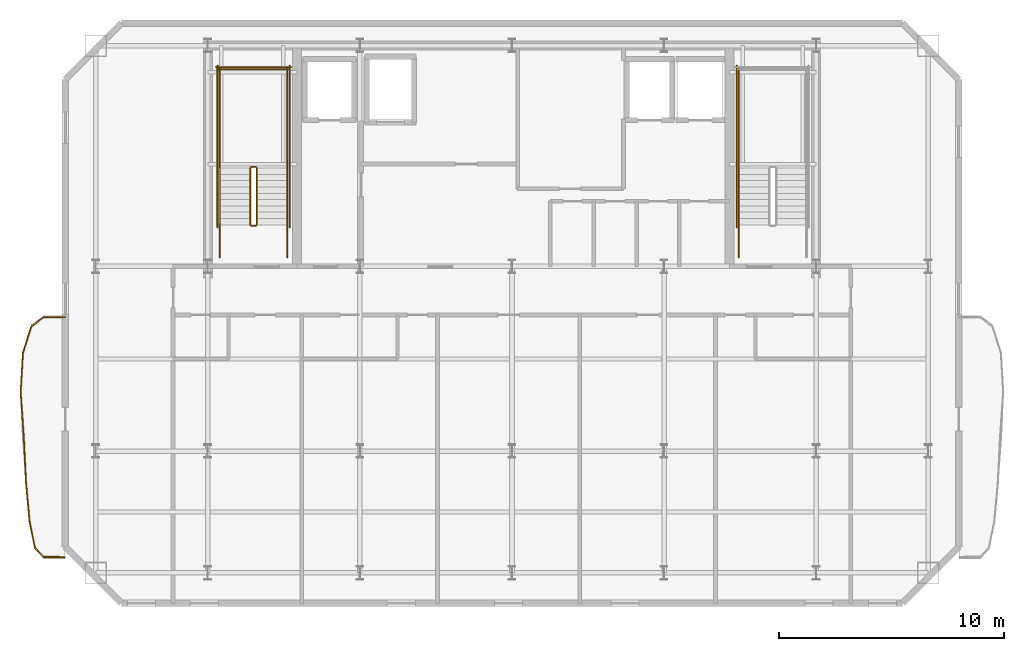
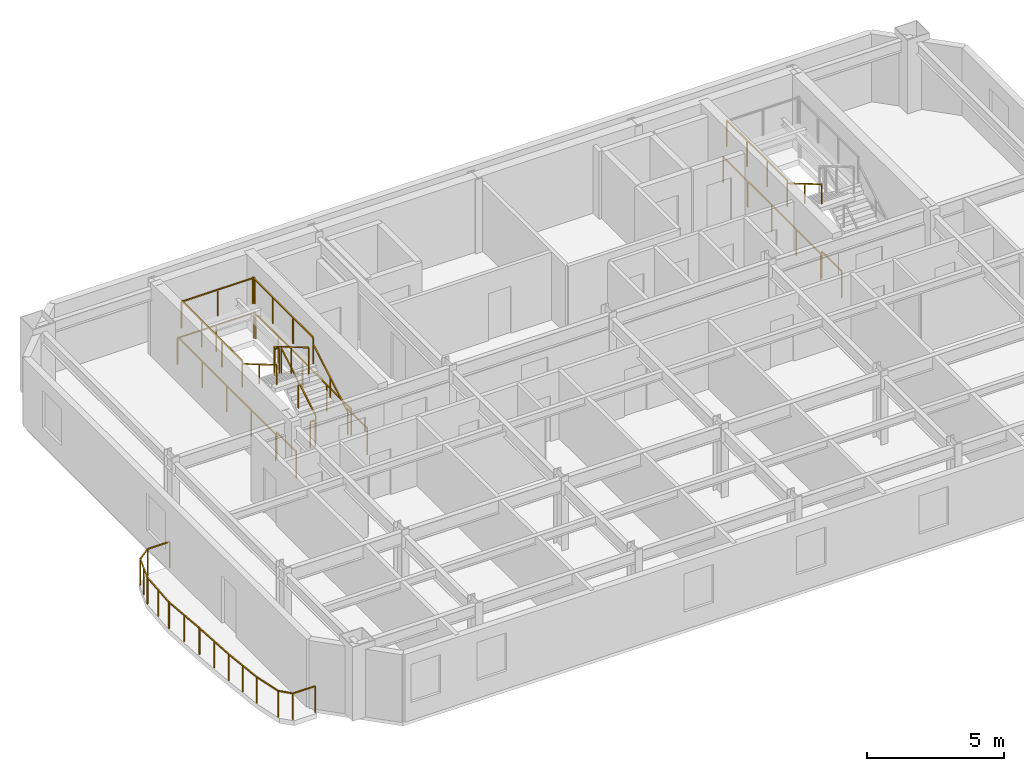
# One storey, part 5 of 6: 28 railings.
"""IFC4 building model written with IfcOpenShell, lengths in metres."""

from ifc_helpers import new_model, si_unit, direction, frame, origin, origin_2d, place, context, subcontext, project, spatial, rectangle, extrude, material, type_object, element, save


model = new_model("IFC4")

# Units and contexts
model_context = context("Model", 3, precision=1e-05, world=origin(), true_north=direction((0.0, 1.0)))
body_context = subcontext(model_context, "Body", "Model", "MODEL_VIEW")
ifc_project = project(units=[si_unit("LENGTHUNIT", "METRE"), si_unit("AREAUNIT", "SQUARE_METRE"), si_unit("VOLUMEUNIT", "CUBIC_METRE"), si_unit("PLANEANGLEUNIT", "RADIAN"), si_unit("MASSUNIT", "GRAM", prefix="KILO")], contexts=[model_context])

# Site, building, storey
site_placement = place(None, origin())
site = spatial("IfcSite", under=ifc_project, at=site_placement, CompositionType="ELEMENT")
building_placement = place(site_placement, origin())
building = spatial("IfcBuilding", under=site, at=building_placement, Name="Haevon Station Towers", CompositionType="ELEMENT")
storey_placement = place(building_placement, frame((0.0, 0.0, 242.699951171875)))
storey = spatial("IfcBuildingStorey", under=building, at=storey_placement, Name="L67", CompositionType="ELEMENT", Elevation=242.699951171875)

# Railings
ifc_material = material(Name="Steel S355", Category="steel")
railing_type_1 = type_object("IfcRailingType", Name="GRD-EXT1200", PredefinedType="GUARDRAIL", material=ifc_material)
railing_1_placement = place(storey_placement, frame((17.651611328125, 35.947021484375, 0.0)))
element("IfcRailing", 1, at=railing_1_placement, inside=storey, type_object=railing_type_1, Name="L67 Perimeter Guardrail 1", PredefinedType="GUARDRAIL", context=body_context, shape_type="SweptSolid", body=[
    extrude(rectangle(XDim=0.048095703125, YDim=0.048095703125, at=origin_2d()), frame((0.0, 0.0, 1.17578125), z_axis=(-0.999997857851, -0.002069853263, 0.0), x_axis=(0.002069853263, -0.999997857851, 0.0)), (0.0, 0.0, 1.0), 0.943603515625),
    extrude(rectangle(XDim=0.0419921875, YDim=0.0419921875, at=origin_2d()), origin(), (0.0, 0.0, 1.0), 1.15185546875),
    extrude(rectangle(XDim=0.0419921875, YDim=0.0419921875, at=origin_2d()), frame((-0.943603515625, -0.001953125, 0.0)), (0.0, 0.0, 1.0), 1.15185546875),
])
railing_2_placement = place(storey_placement, frame((16.7080078125, 35.945068359375, 0.0)))
element("IfcRailing", 2, at=railing_2_placement, inside=storey, type_object=railing_type_1, Name="L67 Perimeter Guardrail 2", PredefinedType="GUARDRAIL", context=body_context, shape_type="SweptSolid", body=[
    extrude(rectangle(XDim=0.048095703125, YDim=0.048095703125, at=origin_2d()), frame((0.0, 0.0, 1.17578125), z_axis=(-0.798409676693, -0.602114597201, 0.0), x_axis=(0.602114597201, -0.798409676693, 0.0)), (0.0, 0.0, 1.0), 0.682861328125),
    extrude(rectangle(XDim=0.0419921875, YDim=0.0419921875, at=origin_2d()), origin(), (0.0, 0.0, 1.0), 1.15185546875),
    extrude(rectangle(XDim=0.0419921875, YDim=0.0419921875, at=origin_2d()), frame((-0.545166015625, -0.4111328125, 0.0)), (0.0, 0.0, 1.0), 1.15185546875),
])
railing_3_placement = place(storey_placement, frame((16.162841796875, 35.533935546875, 0.0)))
element("IfcRailing", 3, at=railing_3_placement, inside=storey, type_object=railing_type_1, Name="L67 Perimeter Guardrail 3", PredefinedType="GUARDRAIL", context=body_context, shape_type="SweptSolid", body=[
    extrude(rectangle(XDim=0.048095703125, YDim=0.048095703125, at=origin_2d()), frame((0.0, 0.0, 1.17578125), z_axis=(-0.303187234273, -0.952931005359, 0.0), x_axis=(0.952931005359, -0.303187234273, 0.0)), (0.0, 0.0, 1.0), 1.227294921875),
    extrude(rectangle(XDim=0.0419921875, YDim=0.0419921875, at=origin_2d()), origin(), (0.0, 0.0, 1.0), 1.15185546875),
    extrude(rectangle(XDim=0.0419921875, YDim=0.0419921875, at=origin_2d()), frame((-0.18603515625, -0.584716796875, 0.0)), (0.0, 0.0, 1.0), 1.15185546875),
    extrude(rectangle(XDim=0.0419921875, YDim=0.0419921875, at=origin_2d()), frame((-0.3720703125, -1.16943359375, 0.0)), (0.0, 0.0, 1.0), 1.15185546875),
])
railing_4_placement = place(storey_placement, frame((15.790771484375, 34.364501953125, 0.0)))
element("IfcRailing", 4, at=railing_4_placement, inside=storey, type_object=railing_type_1, Name="L67 Perimeter Guardrail 4", PredefinedType="GUARDRAIL", context=body_context, shape_type="SweptSolid", body=[
    extrude(rectangle(XDim=0.048095703125, YDim=0.048095703125, at=origin_2d()), frame((0.0, 0.0, 1.17578125), z_axis=(-0.057716779897, -0.99833299721, 0.0), x_axis=(0.99833299721, -0.057716779897, 0.0)), (0.0, 0.0, 1.0), 1.751220703125),
    extrude(rectangle(XDim=0.0419921875, YDim=0.0419921875, at=origin_2d()), origin(), (0.0, 0.0, 1.0), 1.15185546875),
    extrude(rectangle(XDim=0.0419921875, YDim=0.0419921875, at=origin_2d()), frame((-0.050537109375, -0.8740234375, 0.0)), (0.0, 0.0, 1.0), 1.15185546875),
    extrude(rectangle(XDim=0.0419921875, YDim=0.0419921875, at=origin_2d()), frame((-0.10107421875, -1.748291015625, 0.0)), (0.0, 0.0, 1.0), 1.15185546875),
])
railing_5_placement = place(storey_placement, frame((15.689697265625, 32.6162109375, 0.0)))
element("IfcRailing", 5, at=railing_5_placement, inside=storey, type_object=railing_type_1, Name="L67 Perimeter Guardrail 5", PredefinedType="GUARDRAIL", context=body_context, shape_type="SweptSolid", body=[
    extrude(rectangle(XDim=0.048095703125, YDim=0.048095703125, at=origin_2d()), frame((0.0, 0.0, 1.17578125), z_axis=(0.069960576388, -0.99754975703, 0.0), x_axis=(0.99754975703, 0.069960576388, 0.0)), (0.0, 0.0, 1.0), 1.99609375),
    extrude(rectangle(XDim=0.0419921875, YDim=0.0419921875, at=origin_2d()), origin(), (0.0, 0.0, 1.0), 1.15185546875),
    extrude(rectangle(XDim=0.0419921875, YDim=0.0419921875, at=origin_2d()), frame((0.06982421875, -0.99560546875, 0.0)), (0.0, 0.0, 1.0), 1.15185546875),
    extrude(rectangle(XDim=0.0419921875, YDim=0.0419921875, at=origin_2d()), frame((0.1396484375, -1.9912109375, 0.0)), (0.0, 0.0, 1.0), 1.15185546875),
])
railing_6_placement = place(storey_placement, frame((15.829345703125, 30.625, 0.0)))
element("IfcRailing", 6, at=railing_6_placement, inside=storey, type_object=railing_type_1, Name="L67 Perimeter Guardrail 6", PredefinedType="GUARDRAIL", context=body_context, shape_type="SweptSolid", body=[
    extrude(rectangle(XDim=0.048095703125, YDim=0.048095703125, at=origin_2d()), frame((0.0, 0.0, 1.17578125), z_axis=(0.047454457012, -0.998873402644, 0.0), x_axis=(0.998873402644, 0.047454457012, 0.0)), (0.0, 0.0, 1.0), 1.990966796875),
    extrude(rectangle(XDim=0.0419921875, YDim=0.0419921875, at=origin_2d()), origin(), (0.0, 0.0, 1.0), 1.15185546875),
    extrude(rectangle(XDim=0.0419921875, YDim=0.0419921875, at=origin_2d()), frame((0.04736328125, -0.994384765625, 0.0)), (0.0, 0.0, 1.0), 1.15185546875),
    extrude(rectangle(XDim=0.0419921875, YDim=0.0419921875, at=origin_2d()), frame((0.094482421875, -1.98876953125, 0.0)), (0.0, 0.0, 1.0), 1.15185546875),
])
railing_7_placement = place(storey_placement, frame((15.923828125, 28.63623046875, 0.0)))
element("IfcRailing", 7, at=railing_7_placement, inside=storey, type_object=railing_type_1, Name="L67 Perimeter Guardrail 7", PredefinedType="GUARDRAIL", context=body_context, shape_type="SweptSolid", body=[
    extrude(rectangle(XDim=0.048095703125, YDim=0.048095703125, at=origin_2d()), frame((0.0, 0.0, 1.17578125), z_axis=(0.090310252801, -0.995913680114, 0.0), x_axis=(0.995913680114, 0.090310252801, 0.0)), (0.0, 0.0, 1.0), 1.757080078125),
    extrude(rectangle(XDim=0.0419921875, YDim=0.0419921875, at=origin_2d()), origin(), (0.0, 0.0, 1.0), 1.15185546875),
    extrude(rectangle(XDim=0.0419921875, YDim=0.0419921875, at=origin_2d()), frame((0.079345703125, -0.875, 0.0)), (0.0, 0.0, 1.0), 1.15185546875),
    extrude(rectangle(XDim=0.0419921875, YDim=0.0419921875, at=origin_2d()), frame((0.15869140625, -1.75, 0.0)), (0.0, 0.0, 1.0), 1.15185546875),
])
railing_8_placement = place(storey_placement, frame((16.08251953125, 26.88623046875, 0.0)))
element("IfcRailing", 8, at=railing_8_placement, inside=storey, type_object=railing_type_1, Name="L67 Perimeter Guardrail 8", PredefinedType="GUARDRAIL", context=body_context, shape_type="SweptSolid", body=[
    extrude(rectangle(XDim=0.048095703125, YDim=0.048095703125, at=origin_2d()), frame((0.0, 0.0, 1.17578125), z_axis=(0.201497232752, -0.979489083754, 0.0), x_axis=(0.979489083754, 0.201497232752, 0.0)), (0.0, 0.0, 1.0), 1.194580078125),
    extrude(rectangle(XDim=0.0419921875, YDim=0.0419921875, at=origin_2d()), origin(), (0.0, 0.0, 1.0), 1.15185546875),
    extrude(rectangle(XDim=0.0419921875, YDim=0.0419921875, at=origin_2d()), frame((0.24072265625, -1.170166015625, 0.0)), (0.0, 0.0, 1.0), 1.15185546875),
])
railing_9_placement = place(storey_placement, frame((16.3232421875, 25.716064453125, 0.0)))
element("IfcRailing", 9, at=railing_9_placement, inside=storey, type_object=railing_type_1, Name="L67 Perimeter Guardrail 9", PredefinedType="GUARDRAIL", context=body_context, shape_type="SweptSolid", body=[
    extrude(rectangle(XDim=0.048095703125, YDim=0.048095703125, at=origin_2d()), frame((0.0, 0.0, 1.17578125), z_axis=(0.683306289544, -0.730131847456, 0.0), x_axis=(0.730131847456, 0.683306289544, 0.0)), (0.0, 0.0, 1.0), 0.56298828125),
    extrude(rectangle(XDim=0.0419921875, YDim=0.0419921875, at=origin_2d()), origin(), (0.0, 0.0, 1.0), 1.15185546875),
    extrude(rectangle(XDim=0.0419921875, YDim=0.0419921875, at=origin_2d()), frame((0.384765625, -0.4111328125, 0.0)), (0.0, 0.0, 1.0), 1.15185546875),
])
railing_10_placement = place(storey_placement, frame((16.7080078125, 25.304931640625, 0.0)))
element("IfcRailing", 10, at=railing_10_placement, inside=storey, type_object=railing_type_1, Name="L67 Perimeter Guardrail 10", PredefinedType="GUARDRAIL", context=body_context, shape_type="SweptSolid", body=[
    extrude(rectangle(XDim=0.048095703125, YDim=0.048095703125, at=origin_2d()), frame((0.0, 0.0, 1.17578125), z_axis=(0.999997857851, -0.002069853263, 0.0), x_axis=(0.002069853263, 0.999997857851, 0.0)), (0.0, 0.0, 1.0), 0.943603515625),
    extrude(rectangle(XDim=0.0419921875, YDim=0.0419921875, at=origin_2d()), origin(), (0.0, 0.0, 1.0), 1.15185546875),
    extrude(rectangle(XDim=0.0419921875, YDim=0.0419921875, at=origin_2d()), frame((0.943603515625, -0.001953125, 0.0)), (0.0, 0.0, 1.0), 1.15185546875),
])
railing_type_2 = type_object("IfcRailingType", Name="GRD-STR1200", PredefinedType="GUARDRAIL", material=ifc_material)
railing_11_placement = place(storey_placement, frame((26.179931640625, 40.050048828125, 0.1650390625)))
element("IfcRailing", 11, at=railing_11_placement, inside=storey, type_object=railing_type_2, Name="L67 ST1 Stair Guard 1", PredefinedType="GUARDRAIL", context=body_context, shape_type="SweptSolid", body=[
    extrude(rectangle(XDim=0.048095703125, YDim=0.048095703125, at=origin_2d()), frame((0.0, 0.0, 1.17578125), z_axis=(0.0, 0.86152411907, 0.507716645641), x_axis=(-1.0, 0.0, 0.0)), (0.0, 0.0, 1.0), 2.925048828125),
    extrude(rectangle(XDim=0.0419921875, YDim=0.0419921875, at=origin_2d()), origin(), (0.0, 0.0, 1.0), 1.15185546875),
    extrude(rectangle(XDim=0.0419921875, YDim=0.0419921875, at=origin_2d()), frame((0.0, 1.260009765625, 0.74267578125)), (0.0, 0.0, 1.0), 1.15185546875),
    extrude(rectangle(XDim=0.0419921875, YDim=0.0419921875, at=origin_2d()), frame((0.0, 2.52001953125, 1.485107421875)), (0.0, 0.0, 1.0), 1.15185546875),
])
railing_12_placement = place(storey_placement, frame((26.1298828125, 42.6201171875, 1.650146484375)))
element("IfcRailing", 12, at=railing_12_placement, inside=storey, type_object=railing_type_2, Name="L67 ST1 Stair Guard 2", PredefinedType="GUARDRAIL", context=body_context, shape_type="SweptSolid", body=[
    extrude(rectangle(XDim=0.048095703125, YDim=0.048095703125, at=origin_2d()), frame((0.0, 0.0, 1.17578125), z_axis=(-1.0, 0.0, 0.0), x_axis=(0.0, -1.0, 0.0)), (0.0, 0.0, 1.0), 0.199951171875),
    extrude(rectangle(XDim=0.0419921875, YDim=0.0419921875, at=origin_2d()), origin(), (0.0, 0.0, 1.0), 1.15185546875),
    extrude(rectangle(XDim=0.0419921875, YDim=0.0419921875, at=origin_2d()), frame((-0.199951171875, 0.0, 0.0)), (0.0, 0.0, 1.0), 1.15185546875),
])
for number, where, name in (
    (13, (27.530029296875, 42.570068359375, 1.650146484375), "L67 ST1 Stair Guard 3"),
    (14, (24.530029296875, 42.570068359375, 1.650146484375), "L67 ST1 Stair Guard 4"),
):
    element("IfcRailing", number, at=place(storey_placement, frame(where)), inside=storey, type_object=railing_type_2, Name=name, PredefinedType="GUARDRAIL", context=body_context, shape_type="SweptSolid", body=[
        extrude(rectangle(XDim=0.048095703125, YDim=0.048095703125, at=origin_2d()), frame((0.0, 0.0, 1.17578125), z_axis=(0.0, 1.0, 0.0), x_axis=(-1.0, 0.0, 0.0)), (0.0, 0.0, 1.0), 4.429931640625),
        extrude(rectangle(XDim=0.0419921875, YDim=0.0419921875, at=origin_2d()), origin(), (0.0, 0.0, 1.0), 1.15185546875),
        extrude(rectangle(XDim=0.0419921875, YDim=0.0419921875, at=origin_2d()), frame((0.0, 1.4765625, 0.0)), (0.0, 0.0, 1.0), 1.15185546875),
        extrude(rectangle(XDim=0.0419921875, YDim=0.0419921875, at=origin_2d()), frame((0.0, 2.953369140625, 0.0)), (0.0, 0.0, 1.0), 1.15185546875),
        extrude(rectangle(XDim=0.0419921875, YDim=0.0419921875, at=origin_2d()), frame((0.0, 4.429931640625, 0.0)), (0.0, 0.0, 1.0), 1.15185546875),
    ])
railing_13_placement = place(storey_placement, frame((27.580078125, 46.949951171875, 1.650146484375)))
element("IfcRailing", 15, at=railing_13_placement, inside=storey, type_object=railing_type_2, Name="L67 ST1 Stair Guard 5", PredefinedType="GUARDRAIL", context=body_context, shape_type="SweptSolid", body=[
    extrude(rectangle(XDim=0.048095703125, YDim=0.048095703125, at=origin_2d()), frame((0.0, 0.0, 1.17578125), z_axis=(-1.0, 0.0, 0.0), x_axis=(0.0, -1.0, 0.0)), (0.0, 0.0, 1.0), 3.10009765625),
    extrude(rectangle(XDim=0.0419921875, YDim=0.0419921875, at=origin_2d()), origin(), (0.0, 0.0, 1.0), 1.15185546875),
    extrude(rectangle(XDim=0.0419921875, YDim=0.0419921875, at=origin_2d()), frame((-1.550048828125, 0.0, 0.0)), (0.0, 0.0, 1.0), 1.15185546875),
    extrude(rectangle(XDim=0.0419921875, YDim=0.0419921875, at=origin_2d()), frame((-3.10009765625, 0.0, 0.0)), (0.0, 0.0, 1.0), 1.15185546875),
])
railing_14_placement = place(storey_placement, frame((25.8798828125, 42.570068359375, 1.81494140625)))
element("IfcRailing", 16, at=railing_14_placement, inside=storey, type_object=railing_type_2, Name="L67 ST1 Stair Guard 6", PredefinedType="GUARDRAIL", context=body_context, shape_type="SweptSolid", body=[
    extrude(rectangle(XDim=0.048095703125, YDim=0.048095703125, at=origin_2d()), frame((0.0, 0.0, 1.17578125), z_axis=(0.0, -0.86152411907, 0.507716645641), x_axis=(1.0, 0.0, 0.0)), (0.0, 0.0, 1.0), 2.925048828125),
    extrude(rectangle(XDim=0.0419921875, YDim=0.0419921875, at=origin_2d()), origin(), (0.0, 0.0, 1.0), 1.15185546875),
    extrude(rectangle(XDim=0.0419921875, YDim=0.0419921875, at=origin_2d()), frame((0.0, -1.260009765625, 0.74267578125)), (0.0, 0.0, 1.0), 1.15185546875),
    extrude(rectangle(XDim=0.0419921875, YDim=0.0419921875, at=origin_2d()), frame((0.0, -2.52001953125, 1.485107421875)), (0.0, 0.0, 1.0), 1.15185546875),
])
railing_15_placement = place(storey_placement, frame((26.1298828125, 40.0, 0.0)))
element("IfcRailing", 17, at=railing_15_placement, inside=storey, type_object=railing_type_2, Name="L67 ST1 Stair Guard 7", PredefinedType="GUARDRAIL", context=body_context, shape_type="SweptSolid", body=[
    extrude(rectangle(XDim=0.048095703125, YDim=0.048095703125, at=origin_2d()), frame((0.0, 0.0, 1.17578125), z_axis=(-1.0, 0.0, 0.0), x_axis=(0.0, -1.0, 0.0)), (0.0, 0.0, 1.0), 0.199951171875),
    extrude(rectangle(XDim=0.0419921875, YDim=0.0419921875, at=origin_2d()), origin(), (0.0, 0.0, 1.0), 1.15185546875),
    extrude(rectangle(XDim=0.0419921875, YDim=0.0419921875, at=origin_2d()), frame((-0.199951171875, 0.0, 0.0)), (0.0, 0.0, 1.0), 1.15185546875),
])
for number, where, name in (
    (18, (27.530029296875, 38.60009765625, 0.0), "L67 ST1 Stair Guard 8"),
    (19, (24.530029296875, 38.60009765625, 0.0), "L67 ST1 Stair Guard 9"),
):
    element("IfcRailing", number, at=place(storey_placement, frame(where)), inside=storey, type_object=railing_type_2, Name=name, PredefinedType="GUARDRAIL", context=body_context, shape_type="SweptSolid", body=[
        extrude(rectangle(XDim=0.048095703125, YDim=0.048095703125, at=origin_2d()), frame((0.0, 0.0, 1.17578125), z_axis=(0.0, 1.0, 0.0), x_axis=(-1.0, 0.0, 0.0)), (0.0, 0.0, 1.0), 1.449951171875),
        extrude(rectangle(XDim=0.0419921875, YDim=0.0419921875, at=origin_2d()), origin(), (0.0, 0.0, 1.0), 1.15185546875),
        extrude(rectangle(XDim=0.0419921875, YDim=0.0419921875, at=origin_2d()), frame((0.0, 1.449951171875, 0.0)), (0.0, 0.0, 1.0), 1.15185546875),
    ])
for number, where, name in (
    (20, (27.6298828125, 39.949951171875, 0.0), "L67 ST1 Stair Guard 10"),
    (21, (24.429931640625, 39.949951171875, 0.0), "L67 ST1 Stair Guard 11"),
):
    element("IfcRailing", number, at=place(storey_placement, frame(where)), inside=storey, type_object=railing_type_2, Name=name, PredefinedType="GUARDRAIL", context=body_context, shape_type="SweptSolid", body=[
        extrude(rectangle(XDim=0.048095703125, YDim=0.048095703125, at=origin_2d()), frame((0.0, 0.0, 1.17578125), z_axis=(0.0, 1.0, 0.0), x_axis=(-1.0, 0.0, 0.0)), (0.0, 0.0, 1.0), 7.150146484375),
        extrude(rectangle(XDim=0.0419921875, YDim=0.0419921875, at=origin_2d()), origin(), (0.0, 0.0, 1.0), 1.15185546875),
        extrude(rectangle(XDim=0.0419921875, YDim=0.0419921875, at=origin_2d()), frame((0.0, 1.78759765625, 0.0)), (0.0, 0.0, 1.0), 1.15185546875),
        extrude(rectangle(XDim=0.0419921875, YDim=0.0419921875, at=origin_2d()), frame((0.0, 3.5751953125, 0.0)), (0.0, 0.0, 1.0), 1.15185546875),
        extrude(rectangle(XDim=0.0419921875, YDim=0.0419921875, at=origin_2d()), frame((0.0, 5.362548828125, 0.0)), (0.0, 0.0, 1.0), 1.15185546875),
        extrude(rectangle(XDim=0.0419921875, YDim=0.0419921875, at=origin_2d()), frame((0.0, 7.150146484375, 0.0)), (0.0, 0.0, 1.0), 1.15185546875),
    ])
railing_16_placement = place(storey_placement, frame((27.679931640625, 47.050048828125, 0.0)))
element("IfcRailing", 22, at=railing_16_placement, inside=storey, type_object=railing_type_2, Name="L67 ST1 Stair Guard 12", PredefinedType="GUARDRAIL", context=body_context, shape_type="SweptSolid", body=[
    extrude(rectangle(XDim=0.048095703125, YDim=0.048095703125, at=origin_2d()), frame((0.0, 0.0, 1.17578125), z_axis=(-1.0, 0.0, 0.0), x_axis=(0.0, -1.0, 0.0)), (0.0, 0.0, 1.0), 3.300048828125),
    extrude(rectangle(XDim=0.0419921875, YDim=0.0419921875, at=origin_2d()), origin(), (0.0, 0.0, 1.0), 1.15185546875),
    extrude(rectangle(XDim=0.0419921875, YDim=0.0419921875, at=origin_2d()), frame((-1.64990234375, 0.0, 0.0)), (0.0, 0.0, 1.0), 1.15185546875),
    extrude(rectangle(XDim=0.0419921875, YDim=0.0419921875, at=origin_2d()), frame((-3.300048828125, 0.0, 0.0)), (0.0, 0.0, 1.0), 1.15185546875),
])
railing_17_placement = place(storey_placement, frame((47.570068359375, 42.570068359375, 1.650146484375)))
element("IfcRailing", 23, at=railing_17_placement, inside=storey, type_object=railing_type_2, Name="L67 ST2 Stair Guard 4", PredefinedType="GUARDRAIL", context=body_context, shape_type="SweptSolid", body=[
    extrude(rectangle(XDim=0.048095703125, YDim=0.048095703125, at=origin_2d()), frame((0.0, 0.0, 1.17578125), z_axis=(0.0, 1.0, 0.0), x_axis=(-1.0, 0.0, 0.0)), (0.0, 0.0, 1.0), 4.429931640625),
    extrude(rectangle(XDim=0.0419921875, YDim=0.0419921875, at=origin_2d()), origin(), (0.0, 0.0, 1.0), 1.15185546875),
    extrude(rectangle(XDim=0.0419921875, YDim=0.0419921875, at=origin_2d()), frame((0.0, 1.4765625, 0.0)), (0.0, 0.0, 1.0), 1.15185546875),
    extrude(rectangle(XDim=0.0419921875, YDim=0.0419921875, at=origin_2d()), frame((0.0, 2.953369140625, 0.0)), (0.0, 0.0, 1.0), 1.15185546875),
    extrude(rectangle(XDim=0.0419921875, YDim=0.0419921875, at=origin_2d()), frame((0.0, 4.429931640625, 0.0)), (0.0, 0.0, 1.0), 1.15185546875),
])
railing_18_placement = place(storey_placement, frame((47.570068359375, 38.60009765625, 0.0)))
element("IfcRailing", 24, at=railing_18_placement, inside=storey, type_object=railing_type_2, Name="L67 ST2 Stair Guard 9", PredefinedType="GUARDRAIL", context=body_context, shape_type="SweptSolid", body=[
    extrude(rectangle(XDim=0.048095703125, YDim=0.048095703125, at=origin_2d()), frame((0.0, 0.0, 1.17578125), z_axis=(0.0, 1.0, 0.0), x_axis=(-1.0, 0.0, 0.0)), (0.0, 0.0, 1.0), 1.449951171875),
    extrude(rectangle(XDim=0.0419921875, YDim=0.0419921875, at=origin_2d()), origin(), (0.0, 0.0, 1.0), 1.15185546875),
    extrude(rectangle(XDim=0.0419921875, YDim=0.0419921875, at=origin_2d()), frame((0.0, 1.449951171875, 0.0)), (0.0, 0.0, 1.0), 1.15185546875),
])
railing_19_placement = place(storey_placement, frame((47.469970703125, 39.949951171875, 0.0)))
element("IfcRailing", 25, at=railing_19_placement, inside=storey, type_object=railing_type_2, Name="L67 ST2 Stair Guard 11", PredefinedType="GUARDRAIL", context=body_context, shape_type="SweptSolid", body=[
    extrude(rectangle(XDim=0.048095703125, YDim=0.048095703125, at=origin_2d()), frame((0.0, 0.0, 1.17578125), z_axis=(0.0, 1.0, 0.0), x_axis=(-1.0, 0.0, 0.0)), (0.0, 0.0, 1.0), 7.150146484375),
    extrude(rectangle(XDim=0.0419921875, YDim=0.0419921875, at=origin_2d()), origin(), (0.0, 0.0, 1.0), 1.15185546875),
    extrude(rectangle(XDim=0.0419921875, YDim=0.0419921875, at=origin_2d()), frame((0.0, 1.78759765625, 0.0)), (0.0, 0.0, 1.0), 1.15185546875),
    extrude(rectangle(XDim=0.0419921875, YDim=0.0419921875, at=origin_2d()), frame((0.0, 3.5751953125, 0.0)), (0.0, 0.0, 1.0), 1.15185546875),
    extrude(rectangle(XDim=0.0419921875, YDim=0.0419921875, at=origin_2d()), frame((0.0, 5.362548828125, 0.0)), (0.0, 0.0, 1.0), 1.15185546875),
    extrude(rectangle(XDim=0.0419921875, YDim=0.0419921875, at=origin_2d()), frame((0.0, 7.150146484375, 0.0)), (0.0, 0.0, 1.0), 1.15185546875),
])
railing_type_3 = type_object("IfcRailingType", Name="HND-STR900", PredefinedType="HANDRAIL", material=ifc_material)
railing_20_placement = place(storey_placement, frame((27.530029296875, 40.050048828125, 0.1650390625)))
element("IfcRailing", 26, at=railing_20_placement, inside=storey, type_object=railing_type_3, Name="L67 ST1 Stair Handrail 1", PredefinedType="HANDRAIL", context=body_context, shape_type="SweptSolid", body=[
    extrude(rectangle(XDim=0.048095703125, YDim=0.048095703125, at=origin_2d()), frame((0.0, 0.0, 0.8759765625), z_axis=(0.0, 0.86152411907, 0.507716645641), x_axis=(-1.0, 0.0, 0.0)), (0.0, 0.0, 1.0), 2.925048828125),
    extrude(rectangle(XDim=0.0419921875, YDim=0.0419921875, at=origin_2d()), origin(), (0.0, 0.0, 1.0), 0.851806640625),
    extrude(rectangle(XDim=0.0419921875, YDim=0.0419921875, at=origin_2d()), frame((0.0, 1.260009765625, 0.74267578125)), (0.0, 0.0, 1.0), 0.851806640625),
    extrude(rectangle(XDim=0.0419921875, YDim=0.0419921875, at=origin_2d()), frame((0.0, 2.52001953125, 1.485107421875)), (0.0, 0.0, 1.0), 0.851806640625),
])
for number, where, name in (
    (27, (24.530029296875, 42.570068359375, 1.81494140625), "L67 ST1 Stair Handrail 2"),
    (28, (47.570068359375, 42.570068359375, 1.81494140625), "L67 ST2 Stair Handrail 2"),
):
    element("IfcRailing", number, at=place(storey_placement, frame(where)), inside=storey, type_object=railing_type_3, Name=name, PredefinedType="HANDRAIL", context=body_context, shape_type="SweptSolid", body=[
        extrude(rectangle(XDim=0.048095703125, YDim=0.048095703125, at=origin_2d()), frame((0.0, 0.0, 0.8759765625), z_axis=(0.0, -0.86152411907, 0.507716645641), x_axis=(1.0, 0.0, 0.0)), (0.0, 0.0, 1.0), 2.925048828125),
        extrude(rectangle(XDim=0.0419921875, YDim=0.0419921875, at=origin_2d()), origin(), (0.0, 0.0, 1.0), 0.851806640625),
        extrude(rectangle(XDim=0.0419921875, YDim=0.0419921875, at=origin_2d()), frame((0.0, -1.260009765625, 0.74267578125)), (0.0, 0.0, 1.0), 0.851806640625),
        extrude(rectangle(XDim=0.0419921875, YDim=0.0419921875, at=origin_2d()), frame((0.0, -2.52001953125, 1.485107421875)), (0.0, 0.0, 1.0), 0.851806640625),
    ])

save(model, "model.ifc")
